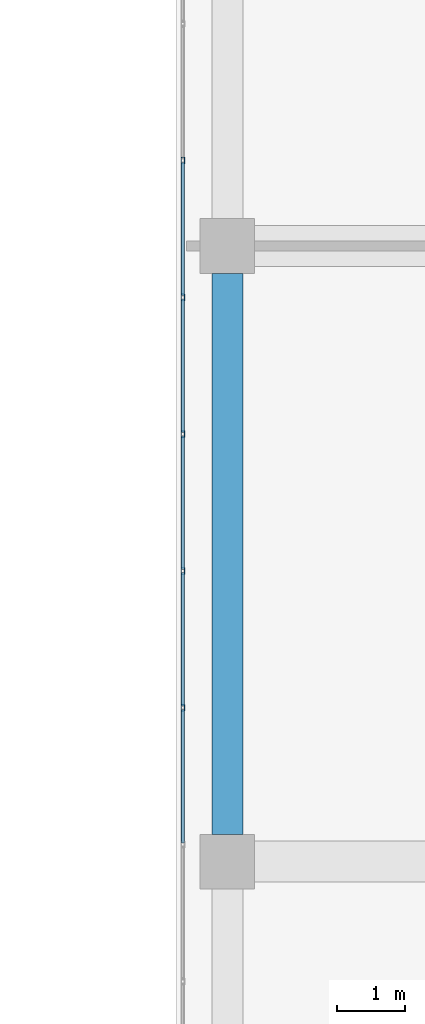
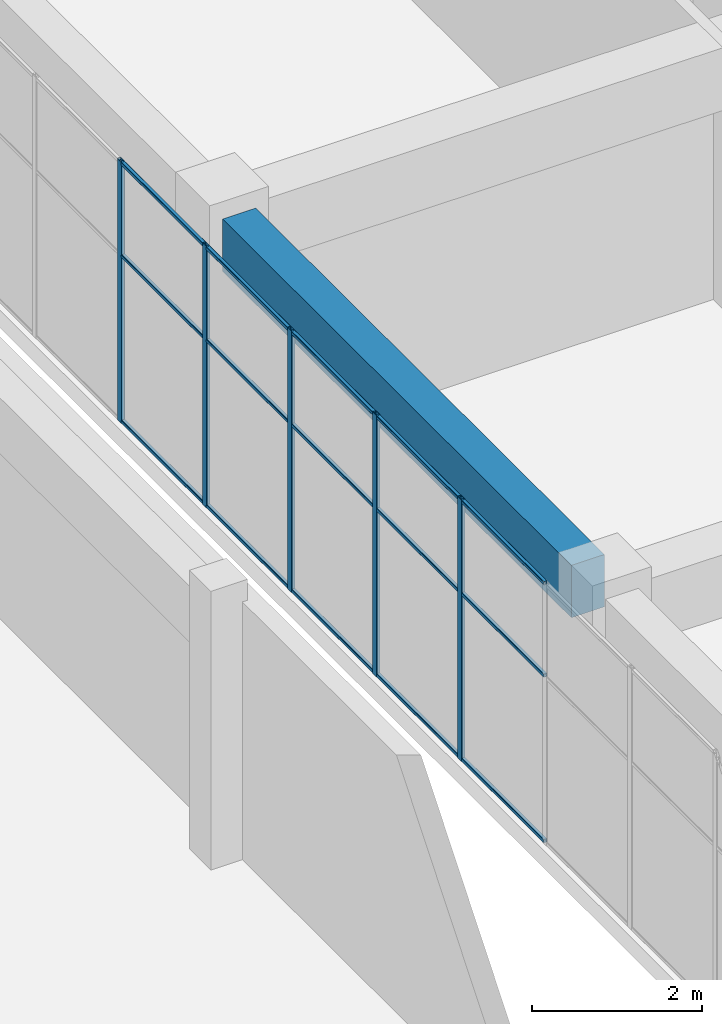
# One storey, part 25 of 65: 20 members, 1 beam, 1 element without a shape of its own.
"""IFC4 building model written with IfcOpenShell, lengths in metres."""

from ifc_helpers import new_model, si_unit, direction, frame, origin, origin_2d, place, context, subcontext, project, spatial, rectangle, hollow_rectangle, extrude, material, layer, layer_set, material_profile, profile_set, type_object, element, aggregate, save


model = new_model("IFC4")

# Units and contexts
model_context = context("Model", 3, precision=1e-05, world=origin(), true_north=direction((0.0, 1.0)))
body_context = subcontext(model_context, "Body", "Model", "MODEL_VIEW")
ifc_project = project(units=[si_unit("LENGTHUNIT", "METRE"), si_unit("AREAUNIT", "SQUARE_METRE"), si_unit("VOLUMEUNIT", "CUBIC_METRE"), si_unit("PLANEANGLEUNIT", "RADIAN"), si_unit("MASSUNIT", "GRAM", prefix="KILO")], contexts=[model_context])

# Site, building, storey
site_placement = place(None, origin())
site = spatial("IfcSite", under=ifc_project, at=site_placement, CompositionType="ELEMENT")
building_placement = place(site_placement, origin())
building = spatial("IfcBuilding", under=site, at=building_placement, Name="Tuart Plaza Theatre", CompositionType="ELEMENT")
storey_placement = place(building_placement, frame((0.0, 0.0, 9.5)))
storey = spatial("IfcBuildingStorey", under=building, at=storey_placement, Name="L02", CompositionType="ELEMENT", Elevation=9.5)

# Beam
ifc_material_1 = material(Name="Concrete N40 (40 MPa)", Category="concrete")
ifc_material_profile_1 = material_profile(ifc_material_1, rectangle(XDim=0.449951171875, YDim=0.75, at=origin_2d()), Name="BEAM 450x750 Concrete N40 (40 MPa)")
ifc_profile_set_1 = profile_set([ifc_material_profile_1], Name="Concrete N40 (40 MPa)")
beam_type = type_object("IfcBeamType", Name="BEAM 450x750 Concrete N40 (40 MPa)", PredefinedType="BEAM", material=ifc_profile_set_1)
beam_placement = place(storey_placement, frame((114.0, 65.39990234375, 3.375), z_axis=(0.0, 1.0, 0.0), x_axis=(-1.0, 0.0, 0.0)))
element("IfcBeam", 1, at=beam_placement, inside=storey, type_object=beam_type, Name="RB164", PredefinedType="BEAM", context=body_context, shape_type="SweptSolid", body=[
    extrude(rectangle(XDim=0.449951171875, YDim=0.75, at=origin_2d()), origin(), (0.0, 0.0, 1.0), 8.2001953125),
])

# Curtain wall, members
ifc_material_2 = material(Name="Aluminium and glass", Category="aluminium")
ifc_layer = layer(ifc_material_2, 0.10009765625)
ifc_layer_set = layer_set([ifc_layer], Name="CURTAIN WALL 2000 module")
curtain_wall_type = type_object("IfcCurtainWallType", Name="CURTAIN WALL 2000 module", PredefinedType="NOTDEFINED", material=ifc_layer_set)
curtain_wall_placement = place(storey_placement, origin())
curtain_wall = element("IfcCurtainWall", 2, at=curtain_wall_placement, inside=storey, type_object=curtain_wall_type, Name="CW73", PredefinedType="NOTDEFINED")
ifc_material_3 = material(Name="Aluminium 6063-T5", Category="aluminium")
ifc_material_profile_2 = material_profile(ifc_material_3, hollow_rectangle(XDim=0.050048828125, YDim=0.10009765625, WallThickness=0.00390625, InnerFilletRadius=0.00390625, OuterFilletRadius=0.008056640625, at=origin_2d()), Name="RHS 100x50x4")
ifc_profile_set_2 = profile_set([ifc_material_profile_2], Name="Aluminium 6063-T5")
member_type_1 = type_object("IfcMemberType", Name="MULLION RHS 100x50x4", PredefinedType="MULLION", material=ifc_profile_set_2)
member_1_placement = place(storey_placement, frame((113.35009765625, 75.25, 0.0), z_axis=(0.0, 0.0, 1.0), x_axis=(1.0, 0.0, 0.0)))
member_1 = element("IfcMember", 3, at=member_1_placement, type_object=member_type_1, Name="CW73 mullion 12", PredefinedType="MULLION", context=body_context, shape_type="SweptSolid", body=[
    extrude(hollow_rectangle(XDim=0.050048828125, YDim=0.10009765625, WallThickness=0.00390625, InnerFilletRadius=0.00390625, OuterFilletRadius=0.008056640625, at=origin_2d()), origin(), (0.0, 0.0, 1.0), 3.75),
])
member_2_placement = place(storey_placement, frame((113.35009765625, 73.25, 0.0), z_axis=(0.0, 0.0, 1.0), x_axis=(1.0, 0.0, 0.0)))
member_2 = element("IfcMember", 4, at=member_2_placement, type_object=member_type_1, Name="CW73 mullion 13", PredefinedType="MULLION", context=body_context, shape_type="SweptSolid", body=[
    extrude(hollow_rectangle(XDim=0.050048828125, YDim=0.10009765625, WallThickness=0.00390625, InnerFilletRadius=0.00390625, OuterFilletRadius=0.008056640625, at=origin_2d()), origin(), (0.0, 0.0, 1.0), 3.75),
])
member_3_placement = place(storey_placement, frame((113.35009765625, 71.25, 0.0), z_axis=(0.0, 0.0, 1.0), x_axis=(1.0, 0.0, 0.0)))
member_3 = element("IfcMember", 5, at=member_3_placement, type_object=member_type_1, Name="CW73 mullion 14", PredefinedType="MULLION", context=body_context, shape_type="SweptSolid", body=[
    extrude(hollow_rectangle(XDim=0.050048828125, YDim=0.10009765625, WallThickness=0.00390625, InnerFilletRadius=0.00390625, OuterFilletRadius=0.008056640625, at=origin_2d()), origin(), (0.0, 0.0, 1.0), 3.75),
])
member_4_placement = place(storey_placement, frame((113.35009765625, 69.25, 0.0), z_axis=(0.0, 0.0, 1.0), x_axis=(1.0, 0.0, 0.0)))
member_4 = element("IfcMember", 6, at=member_4_placement, type_object=member_type_1, Name="CW73 mullion 15", PredefinedType="MULLION", context=body_context, shape_type="SweptSolid", body=[
    extrude(hollow_rectangle(XDim=0.050048828125, YDim=0.10009765625, WallThickness=0.00390625, InnerFilletRadius=0.00390625, OuterFilletRadius=0.008056640625, at=origin_2d()), origin(), (0.0, 0.0, 1.0), 3.75),
])
member_5_placement = place(storey_placement, frame((113.35009765625, 67.25, 0.0), z_axis=(0.0, 0.0, 1.0), x_axis=(1.0, 0.0, 0.0)))
member_5 = element("IfcMember", 7, at=member_5_placement, type_object=member_type_1, Name="CW73 mullion 16", PredefinedType="MULLION", context=body_context, shape_type="SweptSolid", body=[
    extrude(hollow_rectangle(XDim=0.050048828125, YDim=0.10009765625, WallThickness=0.00390625, InnerFilletRadius=0.00390625, OuterFilletRadius=0.008056640625, at=origin_2d()), origin(), (0.0, 0.0, 1.0), 3.75),
])
ifc_material_4 = material(Name="Aluminium 6063-T5", Category="aluminium")
ifc_material_profile_3 = material_profile(ifc_material_4, hollow_rectangle(XDim=0.050048828125, YDim=0.050048828125, WallThickness=0.00390625, InnerFilletRadius=0.00390625, OuterFilletRadius=0.008056640625, at=origin_2d()), Name="RHS 50x50x4")
ifc_profile_set_3 = profile_set([ifc_material_profile_3], Name="Aluminium 6063-T5")
member_type_2 = type_object("IfcMemberType", Name="TRANSOM RHS 50x50x4", PredefinedType="USERDEFINED", material=ifc_profile_set_3)
member_6_placement = place(storey_placement, frame((113.35009765625, 75.22509765625, 0.02490234375), z_axis=(0.0, -1.0, 0.0), x_axis=(1.0, 0.0, 0.0)))
member_6 = element("IfcMember", 8, at=member_6_placement, type_object=member_type_2, Name="CW73 transom 12.1", ObjectType="TRANSOM", PredefinedType="USERDEFINED", context=body_context, shape_type="SweptSolid", body=[
    extrude(hollow_rectangle(XDim=0.050048828125, YDim=0.050048828125, WallThickness=0.00390625, InnerFilletRadius=0.00390625, OuterFilletRadius=0.008056640625, at=origin_2d()), origin(), (0.0, 0.0, 1.0), 1.9501953125),
])
member_7_placement = place(storey_placement, frame((113.35009765625, 75.22509765625, 2.39990234375), z_axis=(0.0, -1.0, 0.0), x_axis=(1.0, 0.0, 0.0)))
member_7 = element("IfcMember", 9, at=member_7_placement, type_object=member_type_2, Name="CW73 transom 12.2", ObjectType="TRANSOM", PredefinedType="USERDEFINED", context=body_context, shape_type="SweptSolid", body=[
    extrude(hollow_rectangle(XDim=0.050048828125, YDim=0.050048828125, WallThickness=0.00390625, InnerFilletRadius=0.00390625, OuterFilletRadius=0.008056640625, at=origin_2d()), origin(), (0.0, 0.0, 1.0), 1.9501953125),
])
member_8_placement = place(storey_placement, frame((113.35009765625, 75.22509765625, 3.72509765625), z_axis=(0.0, -1.0, 0.0), x_axis=(1.0, 0.0, 0.0)))
member_8 = element("IfcMember", 10, at=member_8_placement, type_object=member_type_2, Name="CW73 transom 12.3", ObjectType="TRANSOM", PredefinedType="USERDEFINED", context=body_context, shape_type="SweptSolid", body=[
    extrude(hollow_rectangle(XDim=0.050048828125, YDim=0.050048828125, WallThickness=0.00390625, InnerFilletRadius=0.00390625, OuterFilletRadius=0.008056640625, at=origin_2d()), origin(), (0.0, 0.0, 1.0), 1.9501953125),
])
member_9_placement = place(storey_placement, frame((113.35009765625, 73.22509765625, 0.02490234375), z_axis=(0.0, -1.0, 0.0), x_axis=(1.0, 0.0, 0.0)))
member_9 = element("IfcMember", 11, at=member_9_placement, type_object=member_type_2, Name="CW73 transom 13.1", ObjectType="TRANSOM", PredefinedType="USERDEFINED", context=body_context, shape_type="SweptSolid", body=[
    extrude(hollow_rectangle(XDim=0.050048828125, YDim=0.050048828125, WallThickness=0.00390625, InnerFilletRadius=0.00390625, OuterFilletRadius=0.008056640625, at=origin_2d()), origin(), (0.0, 0.0, 1.0), 1.9501953125),
])
member_10_placement = place(storey_placement, frame((113.35009765625, 73.22509765625, 2.39990234375), z_axis=(0.0, -1.0, 0.0), x_axis=(1.0, 0.0, 0.0)))
member_10 = element("IfcMember", 12, at=member_10_placement, type_object=member_type_2, Name="CW73 transom 13.2", ObjectType="TRANSOM", PredefinedType="USERDEFINED", context=body_context, shape_type="SweptSolid", body=[
    extrude(hollow_rectangle(XDim=0.050048828125, YDim=0.050048828125, WallThickness=0.00390625, InnerFilletRadius=0.00390625, OuterFilletRadius=0.008056640625, at=origin_2d()), origin(), (0.0, 0.0, 1.0), 1.9501953125),
])
member_11_placement = place(storey_placement, frame((113.35009765625, 73.22509765625, 3.72509765625), z_axis=(0.0, -1.0, 0.0), x_axis=(1.0, 0.0, 0.0)))
member_11 = element("IfcMember", 13, at=member_11_placement, type_object=member_type_2, Name="CW73 transom 13.3", ObjectType="TRANSOM", PredefinedType="USERDEFINED", context=body_context, shape_type="SweptSolid", body=[
    extrude(hollow_rectangle(XDim=0.050048828125, YDim=0.050048828125, WallThickness=0.00390625, InnerFilletRadius=0.00390625, OuterFilletRadius=0.008056640625, at=origin_2d()), origin(), (0.0, 0.0, 1.0), 1.9501953125),
])
member_12_placement = place(storey_placement, frame((113.35009765625, 71.22509765625, 0.02490234375), z_axis=(0.0, -1.0, 0.0), x_axis=(1.0, 0.0, 0.0)))
member_12 = element("IfcMember", 14, at=member_12_placement, type_object=member_type_2, Name="CW73 transom 14.1", ObjectType="TRANSOM", PredefinedType="USERDEFINED", context=body_context, shape_type="SweptSolid", body=[
    extrude(hollow_rectangle(XDim=0.050048828125, YDim=0.050048828125, WallThickness=0.00390625, InnerFilletRadius=0.00390625, OuterFilletRadius=0.008056640625, at=origin_2d()), origin(), (0.0, 0.0, 1.0), 1.9501953125),
])
member_13_placement = place(storey_placement, frame((113.35009765625, 71.22509765625, 2.39990234375), z_axis=(0.0, -1.0, 0.0), x_axis=(1.0, 0.0, 0.0)))
member_13 = element("IfcMember", 15, at=member_13_placement, type_object=member_type_2, Name="CW73 transom 14.2", ObjectType="TRANSOM", PredefinedType="USERDEFINED", context=body_context, shape_type="SweptSolid", body=[
    extrude(hollow_rectangle(XDim=0.050048828125, YDim=0.050048828125, WallThickness=0.00390625, InnerFilletRadius=0.00390625, OuterFilletRadius=0.008056640625, at=origin_2d()), origin(), (0.0, 0.0, 1.0), 1.9501953125),
])
member_14_placement = place(storey_placement, frame((113.35009765625, 71.22509765625, 3.72509765625), z_axis=(0.0, -1.0, 0.0), x_axis=(1.0, 0.0, 0.0)))
member_14 = element("IfcMember", 16, at=member_14_placement, type_object=member_type_2, Name="CW73 transom 14.3", ObjectType="TRANSOM", PredefinedType="USERDEFINED", context=body_context, shape_type="SweptSolid", body=[
    extrude(hollow_rectangle(XDim=0.050048828125, YDim=0.050048828125, WallThickness=0.00390625, InnerFilletRadius=0.00390625, OuterFilletRadius=0.008056640625, at=origin_2d()), origin(), (0.0, 0.0, 1.0), 1.9501953125),
])
member_15_placement = place(storey_placement, frame((113.35009765625, 69.22509765625, 0.02490234375), z_axis=(0.0, -1.0, 0.0), x_axis=(1.0, 0.0, 0.0)))
member_15 = element("IfcMember", 17, at=member_15_placement, type_object=member_type_2, Name="CW73 transom 15.1", ObjectType="TRANSOM", PredefinedType="USERDEFINED", context=body_context, shape_type="SweptSolid", body=[
    extrude(hollow_rectangle(XDim=0.050048828125, YDim=0.050048828125, WallThickness=0.00390625, InnerFilletRadius=0.00390625, OuterFilletRadius=0.008056640625, at=origin_2d()), origin(), (0.0, 0.0, 1.0), 1.9501953125),
])
member_16_placement = place(storey_placement, frame((113.35009765625, 69.22509765625, 2.39990234375), z_axis=(0.0, -1.0, 0.0), x_axis=(1.0, 0.0, 0.0)))
member_16 = element("IfcMember", 18, at=member_16_placement, type_object=member_type_2, Name="CW73 transom 15.2", ObjectType="TRANSOM", PredefinedType="USERDEFINED", context=body_context, shape_type="SweptSolid", body=[
    extrude(hollow_rectangle(XDim=0.050048828125, YDim=0.050048828125, WallThickness=0.00390625, InnerFilletRadius=0.00390625, OuterFilletRadius=0.008056640625, at=origin_2d()), origin(), (0.0, 0.0, 1.0), 1.9501953125),
])
member_17_placement = place(storey_placement, frame((113.35009765625, 69.22509765625, 3.72509765625), z_axis=(0.0, -1.0, 0.0), x_axis=(1.0, 0.0, 0.0)))
member_17 = element("IfcMember", 19, at=member_17_placement, type_object=member_type_2, Name="CW73 transom 15.3", ObjectType="TRANSOM", PredefinedType="USERDEFINED", context=body_context, shape_type="SweptSolid", body=[
    extrude(hollow_rectangle(XDim=0.050048828125, YDim=0.050048828125, WallThickness=0.00390625, InnerFilletRadius=0.00390625, OuterFilletRadius=0.008056640625, at=origin_2d()), origin(), (0.0, 0.0, 1.0), 1.9501953125),
])
member_18_placement = place(storey_placement, frame((113.35009765625, 67.22509765625, 0.02490234375), z_axis=(0.0, -1.0, 0.0), x_axis=(1.0, 0.0, 0.0)))
member_18 = element("IfcMember", 20, at=member_18_placement, type_object=member_type_2, Name="CW73 transom 16.1", ObjectType="TRANSOM", PredefinedType="USERDEFINED", context=body_context, shape_type="SweptSolid", body=[
    extrude(hollow_rectangle(XDim=0.050048828125, YDim=0.050048828125, WallThickness=0.00390625, InnerFilletRadius=0.00390625, OuterFilletRadius=0.008056640625, at=origin_2d()), origin(), (0.0, 0.0, 1.0), 1.9501953125),
])
member_19_placement = place(storey_placement, frame((113.35009765625, 67.22509765625, 2.39990234375), z_axis=(0.0, -1.0, 0.0), x_axis=(1.0, 0.0, 0.0)))
member_19 = element("IfcMember", 21, at=member_19_placement, type_object=member_type_2, Name="CW73 transom 16.2", ObjectType="TRANSOM", PredefinedType="USERDEFINED", context=body_context, shape_type="SweptSolid", body=[
    extrude(hollow_rectangle(XDim=0.050048828125, YDim=0.050048828125, WallThickness=0.00390625, InnerFilletRadius=0.00390625, OuterFilletRadius=0.008056640625, at=origin_2d()), origin(), (0.0, 0.0, 1.0), 1.9501953125),
])
member_20_placement = place(storey_placement, frame((113.35009765625, 67.22509765625, 3.72509765625), z_axis=(0.0, -1.0, 0.0), x_axis=(1.0, 0.0, 0.0)))
member_20 = element("IfcMember", 22, at=member_20_placement, type_object=member_type_2, Name="CW73 transom 16.3", ObjectType="TRANSOM", PredefinedType="USERDEFINED", context=body_context, shape_type="SweptSolid", body=[
    extrude(hollow_rectangle(XDim=0.050048828125, YDim=0.050048828125, WallThickness=0.00390625, InnerFilletRadius=0.00390625, OuterFilletRadius=0.008056640625, at=origin_2d()), origin(), (0.0, 0.0, 1.0), 1.9501953125),
])
aggregate(curtain_wall, [member_1, member_2, member_3, member_4, member_5, member_6, member_7, member_8, member_9, member_10, member_11, member_12, member_13, member_14, member_15, member_16, member_17, member_18, member_19, member_20])

save(model, "model.ifc")
